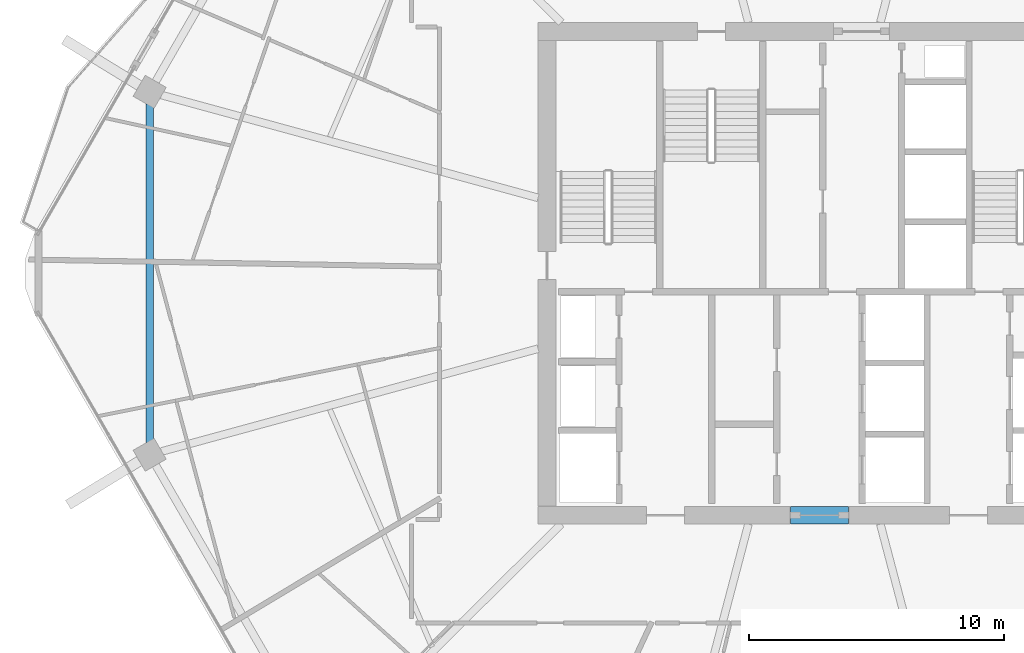
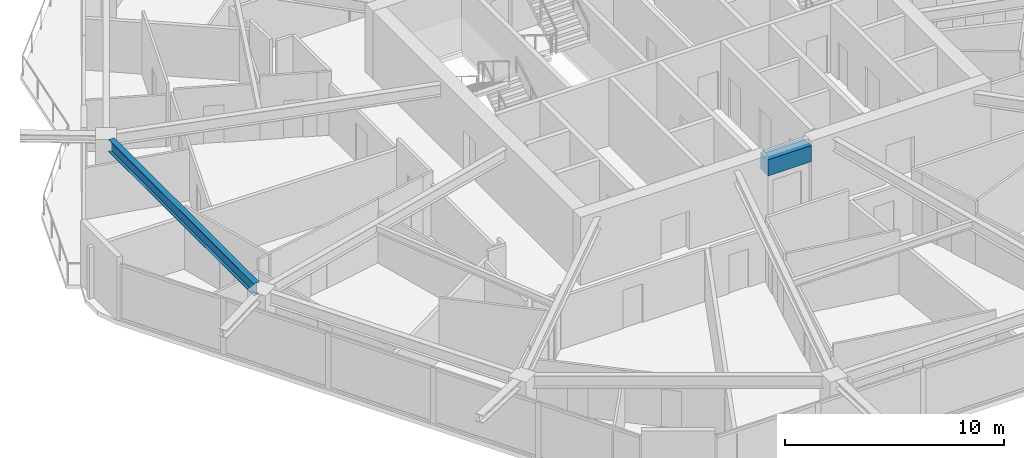
# One storey, part 6 of 26: 2 beams.
"""IFC4 building model written with IfcOpenShell, lengths in metres."""

from ifc_helpers import new_model, si_unit, direction, frame, origin, origin_2d, place, context, subcontext, project, spatial, rectangle, i_section, extrude, material, material_profile, profile_set, type_object, element, save


model = new_model("IFC4")

# Units and contexts
model_context = context("Model", 3, precision=1e-05, world=origin(), true_north=direction((0.0, 1.0)))
body_context = subcontext(model_context, "Body", "Model", "MODEL_VIEW")
ifc_project = project(units=[si_unit("LENGTHUNIT", "METRE"), si_unit("AREAUNIT", "SQUARE_METRE"), si_unit("VOLUMEUNIT", "CUBIC_METRE"), si_unit("PLANEANGLEUNIT", "RADIAN"), si_unit("MASSUNIT", "GRAM", prefix="KILO")], contexts=[model_context])

# Site, building, storey
site_placement = place(None, origin())
site = spatial("IfcSite", under=ifc_project, at=site_placement, CompositionType="ELEMENT")
building_placement = place(site_placement, origin())
building = spatial("IfcBuilding", under=site, at=building_placement, Name="Zuhravey Tower", CompositionType="ELEMENT")
storey_placement = place(building_placement, frame((0.0, 0.0, 211.199951171875)))
storey = spatial("IfcBuildingStorey", under=building, at=storey_placement, Name="L53", CompositionType="ELEMENT", Elevation=211.199951171875)

# Beams
ifc_material_1 = material(Name="Concrete C60/75", Category="concrete")
ifc_material_profile_1 = material_profile(ifc_material_1, rectangle(XDim=0.699951171875, YDim=0.89990234375, at=origin_2d()), Name="RC-700x900")
ifc_profile_set_1 = profile_set([ifc_material_profile_1], Name="Concrete C60/75")
beam_type_1 = type_object("IfcBeamType", Name="Core Coupling Beam RC700x900", PredefinedType="LINTEL", material=ifc_profile_set_1)
beam_1_placement = place(storey_placement, frame((35.052001953125, 22.5, 3.10009765625), z_axis=(1.0, 0.0, 0.0), x_axis=(0.0, 1.0, 0.0)))
element("IfcBeam", 1, at=beam_1_placement, inside=storey, type_object=beam_type_1, Name="L53 CB1 BM-L53-CB-S", PredefinedType="LINTEL", context=body_context, shape_type="SweptSolid", body=[
    extrude(rectangle(XDim=0.699951171875, YDim=0.89990234375, at=origin_2d()), origin(), (0.0, 0.0, 1.0), 2.2958984375),
])
ifc_material_2 = material(Name="Steel SM355", Category="steel")
ifc_material_profile_2 = material_profile(ifc_material_2, i_section(OverallWidth=0.300048828125, OverallDepth=0.679931640625, WebThickness=0.012939453125, FlangeThickness=0.02197265625, at=origin_2d()), Name="H-680x300x13x22")
ifc_profile_set_2 = profile_set([ifc_material_profile_2], Name="Steel SM355")
beam_type_2 = type_object("IfcBeamType", Name="Perimeter Ring Beam H680x300", PredefinedType="BEAM", material=ifc_profile_set_2)
beam_2_placement = place(storey_placement, frame((9.892333984375, 38.6484375, 3.2099609375), z_axis=(0.0, -1.0, 0.0), x_axis=(1.0, 0.0, 0.0)))
element("IfcBeam", 2, at=beam_2_placement, inside=storey, type_object=beam_type_2, Name="L53 PB2 BM-L53-PB-06", PredefinedType="BEAM", context=body_context, shape_type="SweptSolid", body=[
    extrude(i_section(OverallWidth=0.300048828125, OverallDepth=0.679931640625, WebThickness=0.012939453125, FlangeThickness=0.02197265625, at=origin_2d()), origin(), (0.0, 0.0, 1.0), 13.296875),
])

save(model, "model.ifc")
